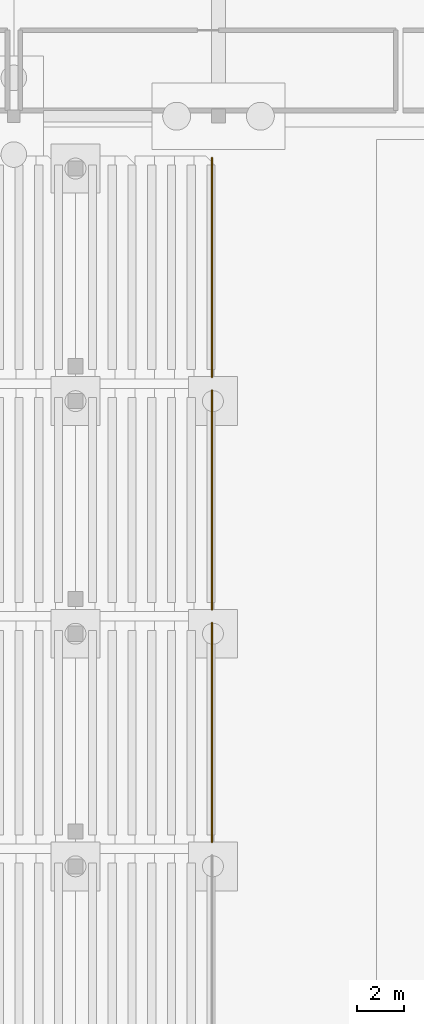
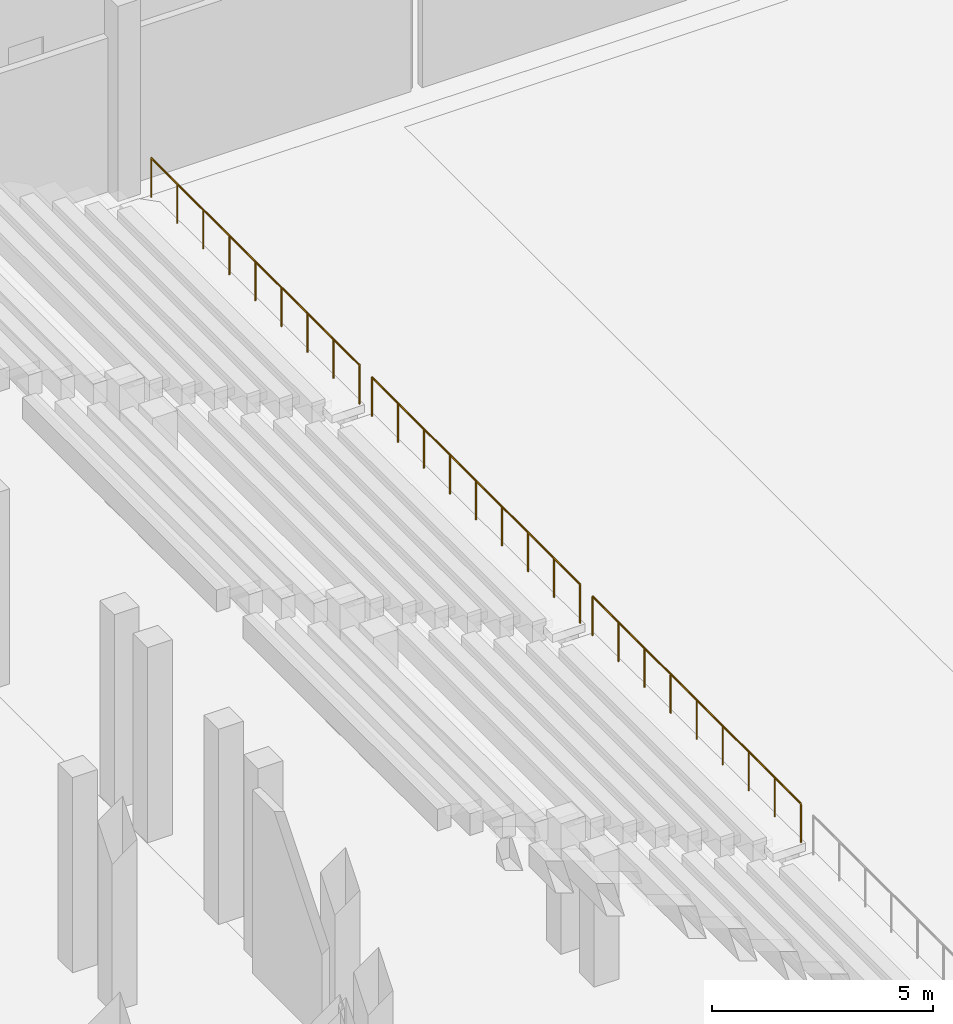
# One storey, part 73 of 89: 3 railings.
"""IFC4 building model written with IfcOpenShell, lengths in metres."""

from ifc_helpers import new_model, si_unit, direction, frame, origin, origin_2d, place, context, subcontext, project, spatial, circle, extrude, material, type_object, element, save


model = new_model("IFC4")

# Units and contexts
model_context = context("Model", 3, precision=1e-05, world=origin(), true_north=direction((0.0, 1.0)))
body_context = subcontext(model_context, "Body", "Model", "MODEL_VIEW")
ifc_project = project(units=[si_unit("LENGTHUNIT", "METRE"), si_unit("AREAUNIT", "SQUARE_METRE"), si_unit("VOLUMEUNIT", "CUBIC_METRE"), si_unit("PLANEANGLEUNIT", "RADIAN"), si_unit("MASSUNIT", "GRAM", prefix="KILO")], contexts=[model_context])

# Site, building, storey
site_placement = place(None, origin())
site = spatial("IfcSite", under=ifc_project, at=site_placement, CompositionType="ELEMENT")
building_placement = place(site_placement, origin())
building = spatial("IfcBuilding", under=site, at=building_placement, Name="Koshinbarg Plaza Stadium", CompositionType="ELEMENT")
storey_placement = place(building_placement, origin())
storey = spatial("IfcBuildingStorey", under=building, at=storey_placement, Name="L00", CompositionType="ELEMENT", Elevation=0.0)

# Railings
ifc_material = material(Name="Toughened laminated glass and stainless steel sightline balustrade", Category="steel")
railing_type = type_object("IfcRailingType", Name="RL-BOWL-1100", PredefinedType="BALUSTRADE", material=ifc_material)
for number, where, name in (
    (1, (80.919921875, 96.280029296875, 1.02001953125), "LT-W08 front stand crowd barrier"),
    (2, (80.919921875, 106.280029296875, 1.02001953125), "LT-W09 front stand crowd barrier"),
    (3, (80.919921875, 116.280029296875, 1.02001953125), "LT-W10 front stand crowd barrier"),
):
    element("IfcRailing", number, at=place(storey_placement, frame(where)), inside=storey, type_object=railing_type, Name=name, PredefinedType="BALUSTRADE", context=body_context, shape_type="SweptSolid", body=[
        extrude(circle(Radius=0.02392578125, at=origin_2d()), frame((0.0, 0.0, 1.076171875), z_axis=(0.0, 1.0, 0.0), x_axis=(-1.0, 0.0, 0.0)), (0.0, 0.0, 1.0), 9.43994140625),
        extrude(circle(Radius=0.02099609375, at=origin_2d()), origin(), (0.0, 0.0, 1.0), 1.052001953125),
        extrude(circle(Radius=0.02099609375, at=origin_2d()), frame((0.0, 1.179931640625, 0.0)), (0.0, 0.0, 1.0), 1.052001953125),
        extrude(circle(Radius=0.02099609375, at=origin_2d()), frame((0.0, 2.35986328125, 0.0)), (0.0, 0.0, 1.0), 1.052001953125),
        extrude(circle(Radius=0.02099609375, at=origin_2d()), frame((0.0, 3.5400390625, 0.0)), (0.0, 0.0, 1.0), 1.052001953125),
        extrude(circle(Radius=0.02099609375, at=origin_2d()), frame((0.0, 4.719970703125, 0.0)), (0.0, 0.0, 1.0), 1.052001953125),
        extrude(circle(Radius=0.02099609375, at=origin_2d()), frame((0.0, 5.89990234375, 0.0)), (0.0, 0.0, 1.0), 1.052001953125),
        extrude(circle(Radius=0.02099609375, at=origin_2d()), frame((0.0, 7.080078125, 0.0)), (0.0, 0.0, 1.0), 1.052001953125),
        extrude(circle(Radius=0.02099609375, at=origin_2d()), frame((0.0, 8.260009765625, 0.0)), (0.0, 0.0, 1.0), 1.052001953125),
        extrude(circle(Radius=0.02099609375, at=origin_2d()), frame((0.0, 9.43994140625, 0.0)), (0.0, 0.0, 1.0), 1.052001953125),
    ])

save(model, "model.ifc")
